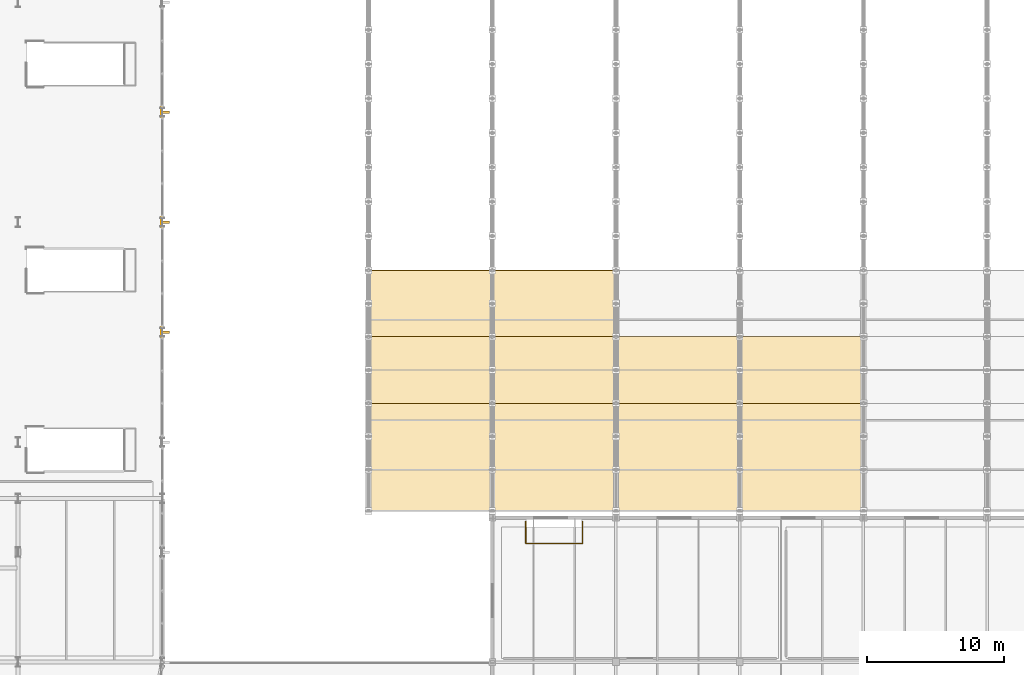
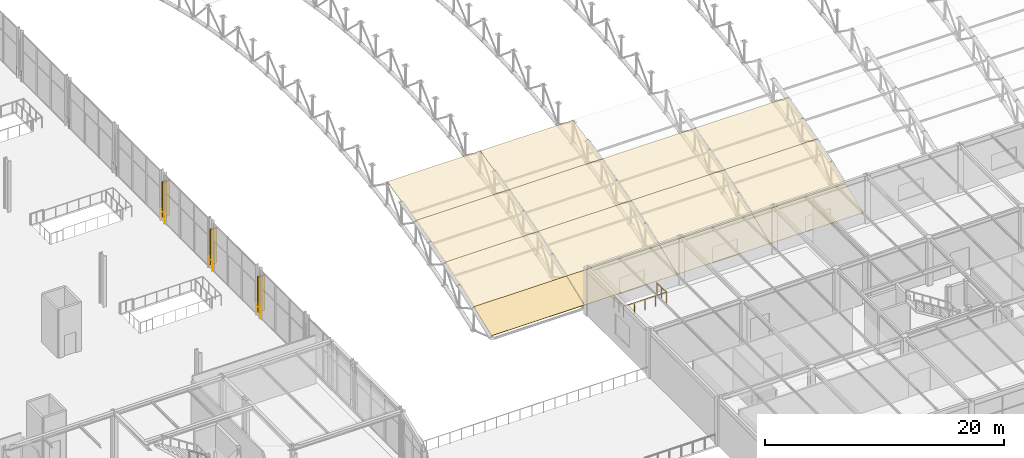
# One storey, part 188 of 195: 14 coverings, 4 railings, 3 shading devices.
"""IFC4 building model written with IfcOpenShell, lengths in metres."""

from ifc_helpers import new_model, si_unit, direction, frame, origin, origin_2d, place, context, subcontext, project, spatial, polyline, rectangle, circle, outline, extrude, material, layer, layer_set, type_object, element, save


model = new_model("IFC4")

# Units and contexts
model_context = context("Model", 3, precision=1e-05, world=origin(), true_north=direction((0.0, 1.0)))
body_context = subcontext(model_context, "Body", "Model", "MODEL_VIEW")
ifc_project = project(units=[si_unit("LENGTHUNIT", "METRE"), si_unit("AREAUNIT", "SQUARE_METRE"), si_unit("VOLUMEUNIT", "CUBIC_METRE"), si_unit("PLANEANGLEUNIT", "RADIAN"), si_unit("MASSUNIT", "GRAM", prefix="KILO")], contexts=[model_context])

# Site, building, storey
site_placement = place(None, origin())
site = spatial("IfcSite", under=ifc_project, at=site_placement, CompositionType="ELEMENT")
building_placement = place(site_placement, origin())
building = spatial("IfcBuilding", under=site, at=building_placement, Name="Marlcrest Central Station", CompositionType="ELEMENT")
storey_placement = place(building_placement, frame((0.0, 0.0, 9.800048828125)))
storey = spatial("IfcBuildingStorey", under=building, at=storey_placement, Name="L02", CompositionType="ELEMENT", Elevation=9.800048828125)

# Coverings
ifc_material_1 = material(Name="Standing-seam marine-coated aluminium roofing", Category="aluminium")
ifc_layer = layer(ifc_material_1, 0.06494140625, Name="CV-RF2")
ifc_layer_set = layer_set([ifc_layer], Name="Standing-seam marine-coated aluminium roofing")
covering_type = type_object("IfcCoveringType", Name="CV-RF2", PredefinedType="ROOFING", material=ifc_layer_set)
covering_1_placement = place(storey_placement, frame((144.0, 33.5, 0.645751953125), z_axis=(0.0, -0.359101225901, 0.933298617569), x_axis=(1.0, 0.0, 0.0)))
element("IfcCovering", 1, at=covering_1_placement, inside=storey, type_object=covering_type, Name="cov-shed-0117", PredefinedType="ROOFING", context=body_context, shape_type="SweptSolid", body=[
    extrude(outline(polyline([(0.0, 0.0), (9.0, 0.0), (9.0, 3.2144052755735024), (0.0, 3.2144052755735024), (0.0, 0.0)])), origin(), (0.0, 0.0, -1.0), 0.06494140625),
])
covering_2_placement = place(storey_placement, frame((144.0, 36.5, 1.800048828125), z_axis=(0.0, -0.318569719273, 0.94789943241), x_axis=(1.0, 0.0, 0.0)))
element("IfcCovering", 2, at=covering_2_placement, inside=storey, type_object=covering_type, Name="cov-shed-0118", PredefinedType="ROOFING", context=body_context, shape_type="SweptSolid", body=[
    extrude(outline(polyline([(0.0, 0.0), (9.0, 0.0), (9.0, 5.095559676327259), (0.0, 5.095559676327259), (0.0, 0.0)])), origin(), (0.0, 0.0, -1.0), 0.06494140625),
])
covering_3_placement = place(storey_placement, frame((144.0, 41.330078125, 3.42333984375), z_axis=(0.0, -0.266214119485, 0.96391391866), x_axis=(1.0, 0.0, 0.0)))
element("IfcCovering", 3, at=covering_3_placement, inside=storey, type_object=covering_type, Name="cov-shed-0119", PredefinedType="ROOFING", context=body_context, shape_type="SweptSolid", body=[
    extrude(outline(polyline([(0.0, 0.0), (9.0, 0.0), (9.0, 5.021033161059522), (0.0, 5.021033161059522), (0.0, 0.0)])), origin(), (0.0, 0.0, -1.0), 0.06494140625),
])
covering_4_placement = place(storey_placement, frame((144.0, 46.169921875, 4.760009765625), z_axis=(0.0, -0.211209052667, 0.977440911806), x_axis=(1.0, 0.0, 0.0)))
element("IfcCovering", 4, at=covering_4_placement, inside=storey, type_object=covering_type, Name="cov-shed-0120", PredefinedType="ROOFING", context=body_context, shape_type="SweptSolid", body=[
    extrude(outline(polyline([(0.0, 0.0), (9.0, 0.0), (9.0, 4.941555102371799), (0.0, 4.941555102371799), (0.0, 0.0)])), origin(), (0.0, 0.0, -1.0), 0.06494140625),
])
covering_5_placement = place(storey_placement, frame((153.0, 33.5, 0.645751953125), z_axis=(0.0, -0.359101225901, 0.933298617569), x_axis=(1.0, 0.0, 0.0)))
element("IfcCovering", 5, at=covering_5_placement, inside=storey, type_object=covering_type, Name="cov-shed-0131", PredefinedType="ROOFING", context=body_context, shape_type="SweptSolid", body=[
    extrude(outline(polyline([(0.0, 0.0), (9.0, 0.0), (9.0, 3.2144052755735024), (0.0, 3.2144052755735024), (0.0, 0.0)])), origin(), (0.0, 0.0, -1.0), 0.06494140625),
])
covering_6_placement = place(storey_placement, frame((153.0, 36.5, 1.800048828125), z_axis=(0.0, -0.318569719273, 0.94789943241), x_axis=(1.0, 0.0, 0.0)))
element("IfcCovering", 6, at=covering_6_placement, inside=storey, type_object=covering_type, Name="cov-shed-0132", PredefinedType="ROOFING", context=body_context, shape_type="SweptSolid", body=[
    extrude(outline(polyline([(0.0, 0.0), (9.0, 0.0), (9.0, 5.095559676327259), (0.0, 5.095559676327259), (0.0, 0.0)])), origin(), (0.0, 0.0, -1.0), 0.06494140625),
])
covering_7_placement = place(storey_placement, frame((153.0, 41.330078125, 3.42333984375), z_axis=(0.0, -0.266214119485, 0.96391391866), x_axis=(1.0, 0.0, 0.0)))
element("IfcCovering", 7, at=covering_7_placement, inside=storey, type_object=covering_type, Name="cov-shed-0133", PredefinedType="ROOFING", context=body_context, shape_type="SweptSolid", body=[
    extrude(outline(polyline([(0.0, 0.0), (9.0, 0.0), (9.0, 5.021033161059522), (0.0, 5.021033161059522), (0.0, 0.0)])), origin(), (0.0, 0.0, -1.0), 0.06494140625),
])
covering_8_placement = place(storey_placement, frame((153.0, 46.169921875, 4.760009765625), z_axis=(0.0, -0.211209052667, 0.977440911806), x_axis=(1.0, 0.0, 0.0)))
element("IfcCovering", 8, at=covering_8_placement, inside=storey, type_object=covering_type, Name="cov-shed-0134", PredefinedType="ROOFING", context=body_context, shape_type="SweptSolid", body=[
    extrude(outline(polyline([(0.0, 0.0), (9.0, 0.0), (9.0, 4.941555102371799), (0.0, 4.941555102371799), (0.0, 0.0)])), origin(), (0.0, 0.0, -1.0), 0.06494140625),
])
covering_9_placement = place(storey_placement, frame((162.0, 33.5, 0.645751953125), z_axis=(0.0, -0.359101225901, 0.933298617569), x_axis=(1.0, 0.0, 0.0)))
element("IfcCovering", 9, at=covering_9_placement, inside=storey, type_object=covering_type, Name="cov-shed-0145", PredefinedType="ROOFING", context=body_context, shape_type="SweptSolid", body=[
    extrude(outline(polyline([(0.0, 0.0), (9.0, 0.0), (9.0, 3.2144052755735024), (0.0, 3.2144052755735024), (0.0, 0.0)])), origin(), (0.0, 0.0, -1.0), 0.06494140625),
])
covering_10_placement = place(storey_placement, frame((162.0, 36.5, 1.800048828125), z_axis=(0.0, -0.318569719273, 0.94789943241), x_axis=(1.0, 0.0, 0.0)))
element("IfcCovering", 10, at=covering_10_placement, inside=storey, type_object=covering_type, Name="cov-shed-0146", PredefinedType="ROOFING", context=body_context, shape_type="SweptSolid", body=[
    extrude(outline(polyline([(0.0, 0.0), (9.0, 0.0), (9.0, 5.095559676327259), (0.0, 5.095559676327259), (0.0, 0.0)])), origin(), (0.0, 0.0, -1.0), 0.06494140625),
])
covering_11_placement = place(storey_placement, frame((162.0, 41.330078125, 3.42333984375), z_axis=(0.0, -0.266214119485, 0.96391391866), x_axis=(1.0, 0.0, 0.0)))
element("IfcCovering", 11, at=covering_11_placement, inside=storey, type_object=covering_type, Name="cov-shed-0147", PredefinedType="ROOFING", context=body_context, shape_type="SweptSolid", body=[
    extrude(outline(polyline([(0.0, 0.0), (9.0, 0.0), (9.0, 5.021033161059522), (0.0, 5.021033161059522), (0.0, 0.0)])), origin(), (0.0, 0.0, -1.0), 0.06494140625),
])
covering_12_placement = place(storey_placement, frame((171.0, 33.5, 0.645751953125), z_axis=(0.0, -0.359101225901, 0.933298617569), x_axis=(1.0, 0.0, 0.0)))
element("IfcCovering", 12, at=covering_12_placement, inside=storey, type_object=covering_type, Name="cov-shed-0159", PredefinedType="ROOFING", context=body_context, shape_type="SweptSolid", body=[
    extrude(outline(polyline([(0.0, 0.0), (9.0, 0.0), (9.0, 3.2144052755735024), (0.0, 3.2144052755735024), (0.0, 0.0)])), origin(), (0.0, 0.0, -1.0), 0.06494140625),
])
covering_13_placement = place(storey_placement, frame((171.0, 36.5, 1.800048828125), z_axis=(0.0, -0.318569719273, 0.94789943241), x_axis=(1.0, 0.0, 0.0)))
element("IfcCovering", 13, at=covering_13_placement, inside=storey, type_object=covering_type, Name="cov-shed-0160", PredefinedType="ROOFING", context=body_context, shape_type="SweptSolid", body=[
    extrude(outline(polyline([(0.0, 0.0), (9.0, 0.0), (9.0, 5.095559676327259), (0.0, 5.095559676327259), (0.0, 0.0)])), origin(), (0.0, 0.0, -1.0), 0.06494140625),
])
covering_14_placement = place(storey_placement, frame((171.0, 41.330078125, 3.42333984375), z_axis=(0.0, -0.266214119485, 0.96391391866), x_axis=(1.0, 0.0, 0.0)))
element("IfcCovering", 14, at=covering_14_placement, inside=storey, type_object=covering_type, Name="cov-shed-0161", PredefinedType="ROOFING", context=body_context, shape_type="SweptSolid", body=[
    extrude(outline(polyline([(0.0, 0.0), (9.0, 0.0), (9.0, 5.021033161059522), (0.0, 5.021033161059522), (0.0, 0.0)])), origin(), (0.0, 0.0, -1.0), 0.06494140625),
])

# Railings
ifc_material_2 = material(Name="Stainless steel and laminated glass concourse balustrade", Category="steel")
railing_type = type_object("IfcRailingType", Name="GR-02", PredefinedType="BALUSTRADE", material=ifc_material_2)
railing_placement = place(storey_placement, frame((155.43994140625, 32.739990234375, 0.0)))
element("IfcRailing", 15, at=railing_placement, inside=storey, type_object=railing_type, Name="hr-L02-00347", PredefinedType="BALUSTRADE", context=body_context, shape_type="SweptSolid", body=[
    extrude(circle(Radius=0.02392578125, at=origin_2d()), frame((0.0, 0.0, 1.09619140625), z_axis=(0.0, -1.0, 0.0), x_axis=(1.0, 0.0, 0.0)), (0.0, 0.0, 1.0), 1.60009765625),
    extrude(circle(Radius=0.02392578125, at=origin_2d()), frame((0.0, -1.60009765625, 1.09619140625), z_axis=(1.0, 0.0, 0.0), x_axis=(0.0, 1.0, 0.0)), (0.0, 0.0, 1.0), 4.1201171875),
    extrude(circle(Radius=0.02392578125, at=origin_2d()), frame((4.1201171875, -1.60009765625, 1.09619140625), z_axis=(0.0, 1.0, 0.0), x_axis=(-1.0, 0.0, 0.0)), (0.0, 0.0, 1.0), 1.60009765625),
    extrude(circle(Radius=0.02099609375, at=origin_2d()), origin(), (0.0, 0.0, 1.0), 1.072021484375),
    extrude(circle(Radius=0.02099609375, at=origin_2d()), frame((0.0, -0.800048828125, 0.0)), (0.0, 0.0, 1.0), 1.072021484375),
    extrude(circle(Radius=0.02099609375, at=origin_2d()), frame((0.0, -1.60009765625, 0.0)), (0.0, 0.0, 1.0), 1.072021484375),
    extrude(circle(Radius=0.02099609375, at=origin_2d()), frame((1.030029296875, -1.60009765625, 0.0)), (0.0, 0.0, 1.0), 1.072021484375),
    extrude(circle(Radius=0.02099609375, at=origin_2d()), frame((2.06005859375, -1.60009765625, 0.0)), (0.0, 0.0, 1.0), 1.072021484375),
    extrude(circle(Radius=0.02099609375, at=origin_2d()), frame((3.090087890625, -1.60009765625, 0.0)), (0.0, 0.0, 1.0), 1.072021484375),
    extrude(circle(Radius=0.02099609375, at=origin_2d()), frame((4.1201171875, -1.60009765625, 0.0)), (0.0, 0.0, 1.0), 1.072021484375),
    extrude(circle(Radius=0.02099609375, at=origin_2d()), frame((4.1201171875, -0.800048828125, 0.0)), (0.0, 0.0, 1.0), 1.072021484375),
    extrude(circle(Radius=0.02099609375, at=origin_2d()), frame((4.1201171875, 0.0, 0.0)), (0.0, 0.0, 1.0), 1.072021484375),
])
for number, where, name in (
    (16, (128.93994140625, 62.840087890625, 0.0), "hr-L02-00506"),
    (17, (128.93994140625, 54.840087890625, 0.0), "hr-L02-00507"),
    (18, (128.93994140625, 46.840087890625, 0.0), "hr-L02-00508"),
):
    element("IfcRailing", number, at=place(storey_placement, frame(where)), inside=storey, type_object=railing_type, Name=name, PredefinedType="BALUSTRADE", context=body_context, shape_type="SweptSolid", body=[
        extrude(circle(Radius=0.02392578125, at=origin_2d()), frame((0.0, 0.0, 1.09619140625), z_axis=(0.0, -1.0, 0.0), x_axis=(1.0, 0.0, 0.0)), (0.0, 0.0, 1.0), 0.68017578125),
        extrude(circle(Radius=0.02099609375, at=origin_2d()), origin(), (0.0, 0.0, 1.0), 1.072021484375),
        extrude(circle(Radius=0.02099609375, at=origin_2d()), frame((0.0, -0.68017578125, 0.0)), (0.0, 0.0, 1.0), 1.072021484375),
    ])

# Shading devices
ifc_material_3 = material(Name="Precast concrete C40/50", Category="concrete")
shading_device_type = type_object("IfcShadingDeviceType", Name="SD-BS1", PredefinedType="USERDEFINED", material=ifc_material_3)
for number, where, z_axis, x_axis, name in (
    (19, (129.199951171875, 46.5, 0.5), (0.0, 0.0, 1.0), (0.0, 1.0, 0.0), "shd-L02-0008"),
    (20, (129.199951171875, 54.5, 0.5), (0.0, 0.0, 1.0), (0.0, 1.0, 0.0), "shd-L02-0010"),
    (21, (129.199951171875, 62.5, 0.5), (0.0, 0.0, 1.0), (0.0, 1.0, 0.0), "shd-L02-0012"),
):
    element("IfcShadingDevice", number, at=place(storey_placement, frame(where, z_axis=z_axis, x_axis=x_axis)), inside=storey, type_object=shading_device_type, Name=name, ObjectType="BRISE_SOLEIL", PredefinedType="USERDEFINED", context=body_context, shape_type="SweptSolid", body=[
        extrude(rectangle(XDim=0.179931640625, YDim=0.64990234375, at=origin_2d()), origin(), (0.0, 0.0, 1.0), 3.60009765625),
    ])

save(model, "model.ifc")
